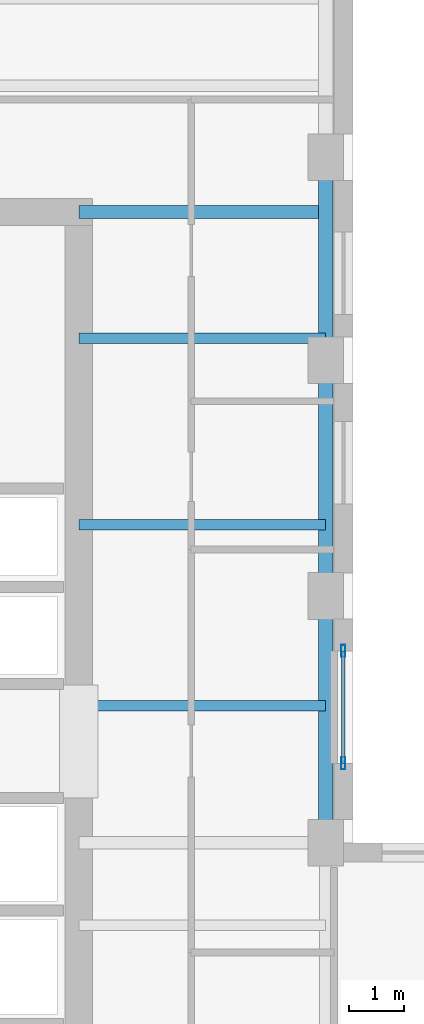
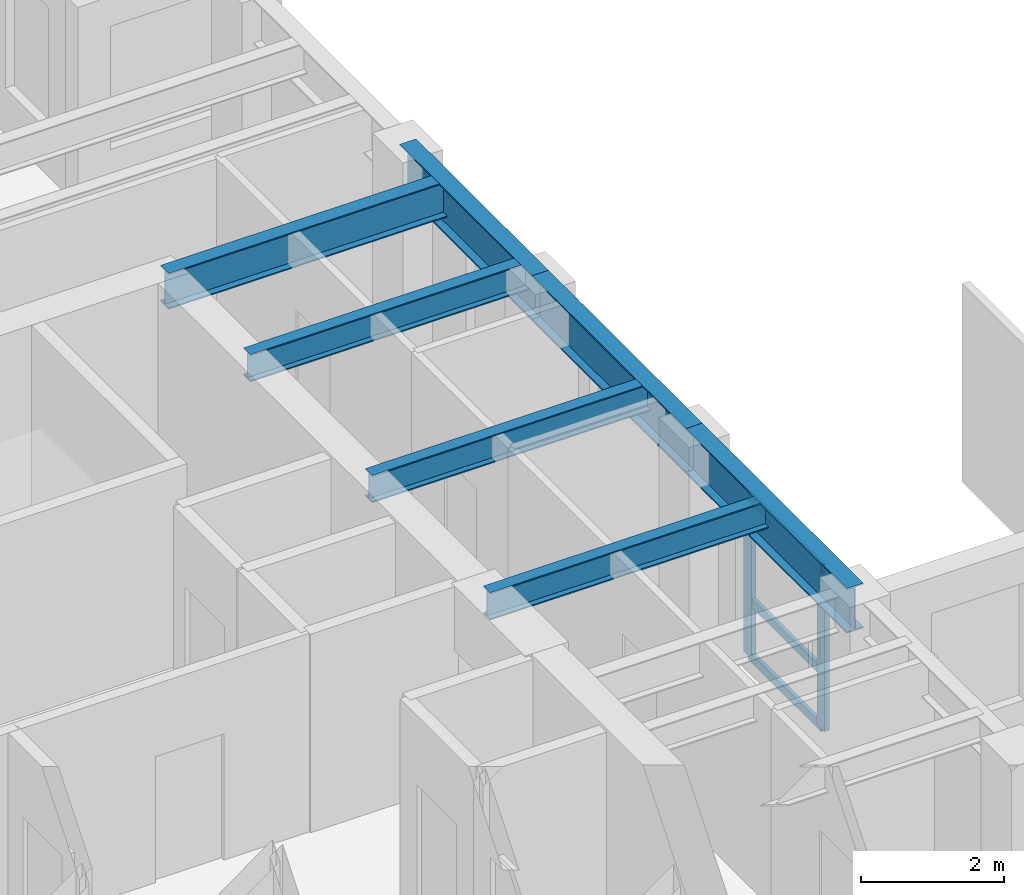
# One storey, part 4 of 14: 7 beams, 5 members, 1 element without a shape of its own.
"""IFC4 building model written with IfcOpenShell, lengths in metres."""

from ifc_helpers import new_model, si_unit, direction, frame, origin, origin_2d, place, context, subcontext, project, spatial, hollow_rectangle, i_section, extrude, source, transform, mapped, material, layer, layer_set, material_profile, profile_set, type_object, element, aggregate, save


model = new_model("IFC4")

# Units and contexts
model_context = context("Model", 3, precision=1e-05, world=origin(), true_north=direction((0.0, 1.0)))
body_context = subcontext(model_context, "Body", "Model", "MODEL_VIEW")
ifc_project = project(units=[si_unit("LENGTHUNIT", "METRE"), si_unit("AREAUNIT", "SQUARE_METRE"), si_unit("VOLUMEUNIT", "CUBIC_METRE"), si_unit("PLANEANGLEUNIT", "RADIAN"), si_unit("MASSUNIT", "GRAM", prefix="KILO")], contexts=[model_context])

# Site, building, storey
site_placement = place(None, origin())
site = spatial("IfcSite", under=ifc_project, at=site_placement, CompositionType="ELEMENT")
building_placement = place(site_placement, origin())
building = spatial("IfcBuilding", under=site, at=building_placement, Name="Kharzan Plaza Tower", CompositionType="ELEMENT")
storey_placement = place(building_placement, frame((0.0, 0.0, 212.39990234375)))
storey = spatial("IfcBuildingStorey", under=building, at=storey_placement, Name="L57", CompositionType="ELEMENT", Elevation=212.39990234375)

# Beams
ifc_material_1 = material(Name="Steel S355", Category="steel")
ifc_material_profile_1 = material_profile(ifc_material_1, i_section(OverallWidth=0.194091796875, OverallDepth=0.468994140625, WebThickness=0.011474609375, FlangeThickness=0.0205078125, at=origin_2d()), Name="W460x106")
ifc_profile_set_1 = profile_set([ifc_material_profile_1], Name="Steel S355")
beam_type_1 = type_object("IfcBeamType", Name="BM-JST460", PredefinedType="JOIST", material=ifc_profile_set_1)
shared_shape_1 = source(origin(), body_context, "Body", "SweptSolid", [
    extrude(i_section(OverallWidth=0.194091796875, OverallDepth=0.468994140625, WebThickness=0.011474609375, FlangeThickness=0.0205078125, at=origin_2d()), origin(), (0.0, 0.0, 1.0), 4.5),
])
for number, where, z_axis, x_axis, name in (
    (1, (14.5, 20.5, 3.16552734375), (1.0, 0.0, 0.0), (0.0, 1.0, 0.0), "L57 Wing A East Infill Joist 4"),
    (2, (14.5, 23.800048828125, 3.16552734375), (1.0, 0.0, 0.0), (0.0, 1.0, 0.0), "L57 Wing A East Infill Joist 5"),
    (3, (14.5, 27.199951171875, 3.16552734375), (1.0, 0.0, 0.0), (0.0, 1.0, 0.0), "L57 Wing A East Infill Joist 6"),
):
    element("IfcBeam", number, at=place(storey_placement, frame(where, z_axis=z_axis, x_axis=x_axis)), inside=storey, type_object=beam_type_1, Name=name, PredefinedType="JOIST", context=body_context, shape_type="MappedRepresentation", body=[
        mapped(shared_shape_1, transform((0.0, 0.0, 0.0), x_axis=(1.0, 0.0, 0.0), y_axis=(0.0, 1.0, 0.0), z_axis=(0.0, 0.0, 1.0))),
    ])

# Curtain wall, members
ifc_material_2 = material(Name="Unitised Bronze-Anodized Aluminium and Low-E Glass", Category="aluminium")
ifc_layer = layer(ifc_material_2, 0.199951171875)
ifc_layer_set = layer_set([ifc_layer], Name="Unitised Bronze-Anodized Aluminium and Low-E Glass")
curtain_wall_type = type_object("IfcCurtainWallType", Name="CW-SLOT-3", PredefinedType="NOTDEFINED", material=ifc_layer_set)
curtain_wall_placement = place(storey_placement, origin())
curtain_wall = element("IfcCurtainWall", 4, at=curtain_wall_placement, inside=storey, type_object=curtain_wall_type, Name="L57 West Slot Recessed Spine Curtain Wall", PredefinedType="NOTDEFINED")
ifc_material_3 = material(Name="Anodized Bronze Aluminium", Category="aluminium")
ifc_material_profile_2 = material_profile(ifc_material_3, hollow_rectangle(XDim=0.06005859375, YDim=0.14990234375, WallThickness=0.00341796875, at=origin_2d()), Name="ALU-T150x60x3.5")
ifc_profile_set_2 = profile_set([ifc_material_profile_2], Name="Anodized Bronze Aluminium")
member_type_1 = type_object("IfcMemberType", Name="MEM-CW-TRN150", PredefinedType="USERDEFINED", material=ifc_profile_set_2)
shared_shape_2 = source(origin(), body_context, "Body", "SweptSolid", [
    extrude(hollow_rectangle(XDim=0.06005859375, YDim=0.14990234375, WallThickness=0.00341796875, at=origin_2d()), origin(), (0.0, 0.0, 1.0), 2.050048828125),
])
member_1_placement = place(storey_placement, frame((19.320068359375, 19.449951171875, 0.0), z_axis=(0.0, 1.0, 0.0), x_axis=(-1.0, 0.0, 0.0)))
member_1 = element("IfcMember", 5, at=member_1_placement, type_object=member_type_1, Name="L57 Curtain-Wall Transom 1", ObjectType="TRANSOM", PredefinedType="USERDEFINED", context=body_context, shape_type="MappedRepresentation", body=[
    mapped(shared_shape_2, transform((0.0, 0.0, 0.0), x_axis=(1.0, 0.0, 0.0), y_axis=(0.0, 1.0, 0.0), z_axis=(0.0, 0.0, 1.0))),
])
member_2_placement = place(storey_placement, frame((19.320068359375, 19.449951171875, 0.9501953125), z_axis=(0.0, 1.0, 0.0), x_axis=(-1.0, 0.0, 0.0)))
member_2 = element("IfcMember", 6, at=member_2_placement, type_object=member_type_1, Name="L57 Curtain-Wall Transom 2", ObjectType="TRANSOM", PredefinedType="USERDEFINED", context=body_context, shape_type="MappedRepresentation", body=[
    mapped(shared_shape_2, transform((0.0, 0.0, 0.0), x_axis=(1.0, 0.0, 0.0), y_axis=(0.0, 1.0, 0.0), z_axis=(0.0, 0.0, 1.0))),
])
member_3_placement = place(storey_placement, frame((19.320068359375, 19.449951171875, 2.7001953125), z_axis=(0.0, 1.0, 0.0), x_axis=(-1.0, 0.0, 0.0)))
member_3 = element("IfcMember", 7, at=member_3_placement, type_object=member_type_1, Name="L57 Curtain-Wall Transom 3", ObjectType="TRANSOM", PredefinedType="USERDEFINED", context=body_context, shape_type="MappedRepresentation", body=[
    mapped(shared_shape_2, transform((0.0, 0.0, 0.0), x_axis=(1.0, 0.0, 0.0), y_axis=(0.0, 1.0, 0.0), z_axis=(0.0, 0.0, 1.0))),
])
ifc_material_profile_3 = material_profile(ifc_material_3, hollow_rectangle(XDim=0.074951171875, YDim=0.219970703125, WallThickness=0.00390625, at=origin_2d()), Name="ALU-M220x75x4")
ifc_profile_set_3 = profile_set([ifc_material_profile_3], Name="Anodized Bronze Aluminium")
member_type_2 = type_object("IfcMemberType", Name="MEM-CW-MUL200", PredefinedType="MULLION", material=ifc_profile_set_3)
shared_shape_3 = source(origin(), body_context, "Body", "SweptSolid", [
    extrude(hollow_rectangle(XDim=0.074951171875, YDim=0.219970703125, WallThickness=0.00390625, at=origin_2d()), origin(), (0.0, 0.0, 1.0), 2.7001953125),
])
member_4_placement = place(storey_placement, frame((19.320068359375, 19.449951171875, 0.0), z_axis=(0.0, 0.0, 1.0), x_axis=(1.0, 0.0, 0.0)))
member_4 = element("IfcMember", 8, at=member_4_placement, type_object=member_type_2, Name="L57 Curtain-Wall Mullion 00", PredefinedType="MULLION", context=body_context, shape_type="MappedRepresentation", body=[
    mapped(shared_shape_3, transform((0.0, 0.0, 0.0), x_axis=(1.0, 0.0, 0.0), y_axis=(0.0, 1.0, 0.0), z_axis=(0.0, 0.0, 1.0))),
])
member_5_placement = place(storey_placement, frame((19.320068359375, 21.5, 0.0), z_axis=(0.0, 0.0, 1.0), x_axis=(1.0, 0.0, 0.0)))
member_5 = element("IfcMember", 9, at=member_5_placement, type_object=member_type_2, Name="L57 Curtain-Wall Mullion 01", PredefinedType="MULLION", context=body_context, shape_type="MappedRepresentation", body=[
    mapped(shared_shape_3, transform((0.0, 0.0, 0.0), x_axis=(1.0, 0.0, 0.0), y_axis=(0.0, 1.0, 0.0), z_axis=(0.0, 0.0, 1.0))),
])
aggregate(curtain_wall, [member_4, member_5, member_1, member_2, member_3])

# Beams
ifc_material_profile_4 = material_profile(ifc_material_1, i_section(OverallWidth=0.22900390625, OverallDepth=0.612060546875, WebThickness=0.011962890625, FlangeThickness=0.01953125, at=origin_2d()), Name="W610x125")
ifc_profile_set_4 = profile_set([ifc_material_profile_4], Name="Steel S355")
beam_type_2 = type_object("IfcBeamType", Name="BM-FG610B", PredefinedType="BEAM", material=ifc_profile_set_4)
shared_shape_4 = source(origin(), body_context, "Body", "SweptSolid", [
    extrude(i_section(OverallWidth=0.22900390625, OverallDepth=0.612060546875, WebThickness=0.011962890625, FlangeThickness=0.01953125, at=origin_2d()), origin(), (0.0, 0.0, 1.0), 4.5),
])
beam_1_placement = place(storey_placement, frame((14.5, 29.5, 3.093994140625), z_axis=(1.0, 0.0, 0.0), x_axis=(0.0, 1.0, 0.0)))
element("IfcBeam", 10, at=beam_1_placement, inside=storey, type_object=beam_type_2, Name="L57 Core-A East Floor Girder 3", PredefinedType="BEAM", context=body_context, shape_type="MappedRepresentation", body=[
    mapped(shared_shape_4, transform((0.0, 0.0, 0.0), x_axis=(1.0, 0.0, 0.0), y_axis=(0.0, 1.0, 0.0), z_axis=(0.0, 0.0, 1.0))),
])
ifc_material_profile_5 = material_profile(ifc_material_1, i_section(OverallWidth=0.26708984375, OverallDepth=0.76611328125, WebThickness=0.014892578125, FlangeThickness=0.023681640625, at=origin_2d()), Name="W760x185")
ifc_profile_set_5 = profile_set([ifc_material_profile_5], Name="Steel S355")
beam_type_3 = type_object("IfcBeamType", Name="BM-SP760B", PredefinedType="SPANDREL", material=ifc_profile_set_5)
shared_shape_5 = source(origin(), body_context, "Body", "SweptSolid", [
    extrude(i_section(OverallWidth=0.26708984375, OverallDepth=0.76611328125, WebThickness=0.014892578125, FlangeThickness=0.023681640625, at=origin_2d()), origin(), (0.0, 0.0, 1.0), 4.5),
])
beam_2_placement = place(storey_placement, frame((19.0, 18.0, 3.01708984375), z_axis=(0.0, 1.0, 0.0), x_axis=(-1.0, 0.0, 0.0)))
element("IfcBeam", 11, at=beam_2_placement, inside=storey, type_object=beam_type_3, Name="L57 Perimeter Tube Spandrel", PredefinedType="SPANDREL", context=body_context, shape_type="MappedRepresentation", body=[
    mapped(shared_shape_5, transform((0.0, 0.0, 0.0), x_axis=(1.0, 0.0, 0.0), y_axis=(0.0, 1.0, 0.0), z_axis=(0.0, 0.0, 1.0))),
])
shared_shape_6 = source(origin(), body_context, "Body", "SweptSolid", [
    extrude(i_section(OverallWidth=0.26708984375, OverallDepth=0.76611328125, WebThickness=0.014892578125, FlangeThickness=0.023681640625, at=origin_2d()), origin(), (0.0, 0.0, 1.0), 4.300048828125),
])
beam_3_placement = place(storey_placement, frame((19.0, 22.5, 3.01708984375), z_axis=(0.0, 1.0, 0.0), x_axis=(-1.0, 0.0, 0.0)))
element("IfcBeam", 12, at=beam_3_placement, inside=storey, type_object=beam_type_3, Name="L57 Perimeter Tube Spandrel", PredefinedType="SPANDREL", context=body_context, shape_type="MappedRepresentation", body=[
    mapped(shared_shape_6, transform((0.0, 0.0, 0.0), x_axis=(1.0, 0.0, 0.0), y_axis=(0.0, 1.0, 0.0), z_axis=(0.0, 0.0, 1.0))),
])
shared_shape_7 = source(origin(), body_context, "Body", "SweptSolid", [
    extrude(i_section(OverallWidth=0.26708984375, OverallDepth=0.76611328125, WebThickness=0.014892578125, FlangeThickness=0.023681640625, at=origin_2d()), origin(), (0.0, 0.0, 1.0), 3.699951171875),
])
beam_4_placement = place(storey_placement, frame((19.0, 26.800048828125, 3.01708984375), z_axis=(0.0, 1.0, 0.0), x_axis=(-1.0, 0.0, 0.0)))
element("IfcBeam", 13, at=beam_4_placement, inside=storey, type_object=beam_type_3, Name="L57 Perimeter Tube Spandrel", PredefinedType="SPANDREL", context=body_context, shape_type="MappedRepresentation", body=[
    mapped(shared_shape_7, transform((0.0, 0.0, 0.0), x_axis=(1.0, 0.0, 0.0), y_axis=(0.0, 1.0, 0.0), z_axis=(0.0, 0.0, 1.0))),
])

save(model, "model.ifc")
